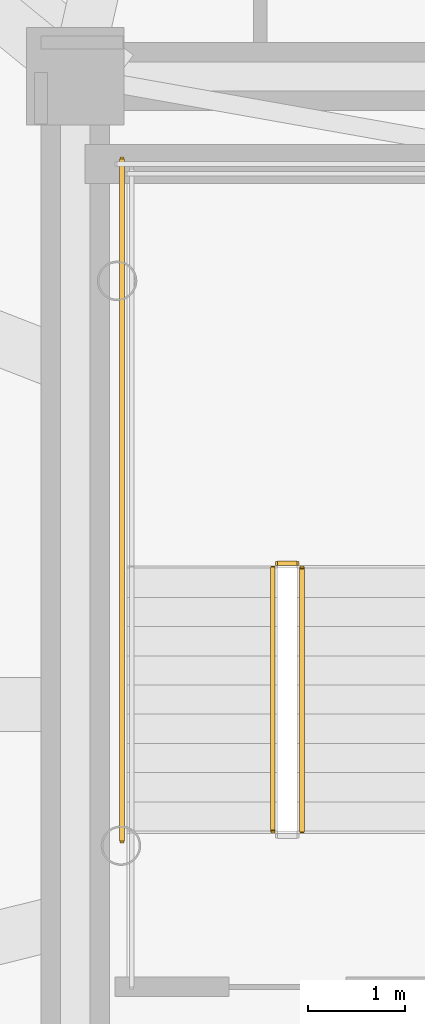
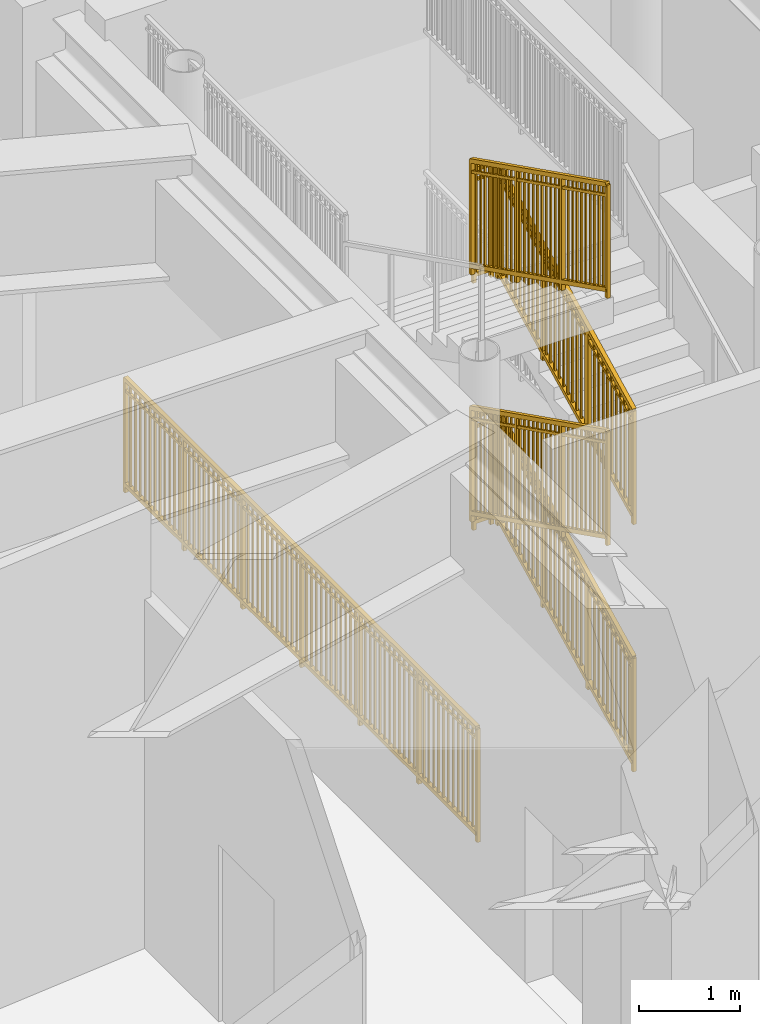
# One storey, part 13 of 17: 7 railings.
"""IFC4 building model written with IfcOpenShell, lengths in metres."""

from ifc_helpers import new_model, si_unit, direction, frame, origin, origin_2d, place, context, subcontext, project, spatial, rectangle, extrude, source, transform, mapped, material, type_object, element, save


model = new_model("IFC4")

# Units and contexts
model_context = context("Model", 3, precision=1e-05, world=origin(), true_north=direction((0.0, 1.0)))
body_context = subcontext(model_context, "Body", "Model", "MODEL_VIEW")
ifc_project = project(units=[si_unit("LENGTHUNIT", "METRE"), si_unit("AREAUNIT", "SQUARE_METRE"), si_unit("VOLUMEUNIT", "CUBIC_METRE"), si_unit("PLANEANGLEUNIT", "RADIAN"), si_unit("MASSUNIT", "GRAM", prefix="KILO")], contexts=[model_context])

# Site, building, storey
site_placement = place(None, origin())
site = spatial("IfcSite", under=ifc_project, at=site_placement, CompositionType="ELEMENT")
building_placement = place(site_placement, origin())
building = spatial("IfcBuilding", under=site, at=building_placement, Name="Linh Dai School and Residence Tower", CompositionType="ELEMENT")
storey_placement = place(building_placement, frame((0.0, 0.0, 318.0)))
storey = spatial("IfcBuildingStorey", under=building, at=storey_placement, Name="L79", CompositionType="ELEMENT", Elevation=318.0)

# Railings
ifc_material = material(Name="Structural Steel S355JR", Category="steel")
railing_type = type_object("IfcRailingType", Name="RL-ST-GUARD-1400", PredefinedType="GUARDRAIL", material=ifc_material)
shared_shape_1 = source(origin(), body_context, "Body", "SweptSolid", [
    extrude(rectangle(XDim=0.048095703125, YDim=0.048095703125, at=origin_2d()), frame((0.0, 0.0, 1.3759765625), z_axis=(-1.0, 0.0, 0.0), x_axis=(0.0, -1.0, 0.0)), (0.0, 0.0, 1.0), 0.199951171875),
    extrude(rectangle(XDim=0.048095703125, YDim=0.048095703125, at=origin_2d()), frame((0.0, 0.0, 0.10009765625), z_axis=(-1.0, 0.0, 0.0), x_axis=(0.0, -1.0, 0.0)), (0.0, 0.0, 1.0), 0.199951171875),
    extrude(rectangle(XDim=0.030029296875, YDim=0.030029296875, at=origin_2d()), frame((0.0, 0.0, 1.239990234375), z_axis=(-1.0, 0.0, 0.0), x_axis=(0.0, -1.0, 0.0)), (0.0, 0.0, 1.0), 0.199951171875),
    extrude(rectangle(XDim=0.0419921875, YDim=0.0419921875, at=origin_2d()), origin(), (0.0, 0.0, 1.0), 1.3759765625),
    extrude(rectangle(XDim=0.0419921875, YDim=0.0419921875, at=origin_2d()), frame((-0.199951171875, 0.0, 0.0)), (0.0, 0.0, 1.0), 1.3759765625),
])
for number, where, name in (
    (1, (29.429931640625, 28.449951171875, 1.5), "L79 ST1 stair guard 2"),
    (2, (29.429931640625, 28.449951171875, 4.5), "L79 ST1 stair guard 11"),
):
    element("IfcRailing", number, at=place(storey_placement, frame(where)), inside=storey, type_object=railing_type, Name=name, PredefinedType="GUARDRAIL", context=body_context, shape_type="MappedRepresentation", body=[
        mapped(shared_shape_1, transform((0.0, 0.0, 0.0), x_axis=(1.0, 0.0, 0.0), y_axis=(0.0, 1.0, 0.0), z_axis=(0.0, 0.0, 1.0), scale=1.0)),
    ])
shared_shape_2 = source(origin(), body_context, "Body", "SweptSolid", [
    extrude(rectangle(XDim=0.048095703125, YDim=0.048095703125, at=origin_2d()), frame((0.0, 0.0, 1.3759765625), z_axis=(0.0, 1.0, 0.0), x_axis=(-1.0, 0.0, 0.0)), (0.0, 0.0, 1.0), 7.0),
    extrude(rectangle(XDim=0.048095703125, YDim=0.048095703125, at=origin_2d()), frame((0.0, 0.0, 0.10009765625), z_axis=(0.0, 1.0, 0.0), x_axis=(-1.0, 0.0, 0.0)), (0.0, 0.0, 1.0), 7.0),
    extrude(rectangle(XDim=0.030029296875, YDim=0.030029296875, at=origin_2d()), frame((0.0, 0.0, 1.239990234375), z_axis=(0.0, 1.0, 0.0), x_axis=(-1.0, 0.0, 0.0)), (0.0, 0.0, 1.0), 7.0),
    extrude(rectangle(XDim=0.02001953125, YDim=0.02001953125, at=origin_2d()), frame((0.0, 0.09716796875, 0.10009765625)), (0.0, 0.0, 1.0), 1.251708984375),
    extrude(rectangle(XDim=0.02001953125, YDim=0.02001953125, at=origin_2d()), frame((0.0, 0.1943359375, 0.10009765625)), (0.0, 0.0, 1.0), 1.251708984375),
    extrude(rectangle(XDim=0.02001953125, YDim=0.02001953125, at=origin_2d()), frame((0.0, 0.291748046875, 0.10009765625)), (0.0, 0.0, 1.0), 1.251708984375),
    extrude(rectangle(XDim=0.02001953125, YDim=0.02001953125, at=origin_2d()), frame((0.0, 0.388916015625, 0.10009765625)), (0.0, 0.0, 1.0), 1.251708984375),
    extrude(rectangle(XDim=0.02001953125, YDim=0.02001953125, at=origin_2d()), frame((0.0, 0.486083984375, 0.10009765625)), (0.0, 0.0, 1.0), 1.251708984375),
    extrude(rectangle(XDim=0.02001953125, YDim=0.02001953125, at=origin_2d()), frame((0.0, 0.583251953125, 0.10009765625)), (0.0, 0.0, 1.0), 1.251708984375),
    extrude(rectangle(XDim=0.02001953125, YDim=0.02001953125, at=origin_2d()), frame((0.0, 0.6806640625, 0.10009765625)), (0.0, 0.0, 1.0), 1.251708984375),
    extrude(rectangle(XDim=0.02001953125, YDim=0.02001953125, at=origin_2d()), frame((0.0, 0.77783203125, 0.10009765625)), (0.0, 0.0, 1.0), 1.251708984375),
    extrude(rectangle(XDim=0.02001953125, YDim=0.02001953125, at=origin_2d()), frame((0.0, 0.875, 0.10009765625)), (0.0, 0.0, 1.0), 1.251708984375),
    extrude(rectangle(XDim=0.02001953125, YDim=0.02001953125, at=origin_2d()), frame((0.0, 0.97216796875, 0.10009765625)), (0.0, 0.0, 1.0), 1.251708984375),
    extrude(rectangle(XDim=0.02001953125, YDim=0.02001953125, at=origin_2d()), frame((0.0, 1.0693359375, 0.10009765625)), (0.0, 0.0, 1.0), 1.251708984375),
    extrude(rectangle(XDim=0.02001953125, YDim=0.02001953125, at=origin_2d()), frame((0.0, 1.263916015625, 0.10009765625)), (0.0, 0.0, 1.0), 1.251708984375),
    extrude(rectangle(XDim=0.02001953125, YDim=0.02001953125, at=origin_2d()), frame((0.0, 1.361083984375, 0.10009765625)), (0.0, 0.0, 1.0), 1.251708984375),
    extrude(rectangle(XDim=0.02001953125, YDim=0.02001953125, at=origin_2d()), frame((0.0, 1.458251953125, 0.10009765625)), (0.0, 0.0, 1.0), 1.251708984375),
    extrude(rectangle(XDim=0.02001953125, YDim=0.02001953125, at=origin_2d()), frame((0.0, 1.5556640625, 0.10009765625)), (0.0, 0.0, 1.0), 1.251708984375),
    extrude(rectangle(XDim=0.02001953125, YDim=0.02001953125, at=origin_2d()), frame((0.0, 1.65283203125, 0.10009765625)), (0.0, 0.0, 1.0), 1.251708984375),
    extrude(rectangle(XDim=0.02001953125, YDim=0.02001953125, at=origin_2d()), frame((0.0, 1.75, 0.10009765625)), (0.0, 0.0, 1.0), 1.251708984375),
    extrude(rectangle(XDim=0.02001953125, YDim=0.02001953125, at=origin_2d()), frame((0.0, 1.84716796875, 0.10009765625)), (0.0, 0.0, 1.0), 1.251708984375),
    extrude(rectangle(XDim=0.02001953125, YDim=0.02001953125, at=origin_2d()), frame((0.0, 1.9443359375, 0.10009765625)), (0.0, 0.0, 1.0), 1.251708984375),
    extrude(rectangle(XDim=0.02001953125, YDim=0.02001953125, at=origin_2d()), frame((0.0, 2.041748046875, 0.10009765625)), (0.0, 0.0, 1.0), 1.251708984375),
    extrude(rectangle(XDim=0.02001953125, YDim=0.02001953125, at=origin_2d()), frame((0.0, 2.138916015625, 0.10009765625)), (0.0, 0.0, 1.0), 1.251708984375),
    extrude(rectangle(XDim=0.02001953125, YDim=0.02001953125, at=origin_2d()), frame((0.0, 2.236083984375, 0.10009765625)), (0.0, 0.0, 1.0), 1.251708984375),
    extrude(rectangle(XDim=0.02001953125, YDim=0.02001953125, at=origin_2d()), frame((0.0, 2.4306640625, 0.10009765625)), (0.0, 0.0, 1.0), 1.251708984375),
    extrude(rectangle(XDim=0.02001953125, YDim=0.02001953125, at=origin_2d()), frame((0.0, 2.52783203125, 0.10009765625)), (0.0, 0.0, 1.0), 1.251708984375),
    extrude(rectangle(XDim=0.02001953125, YDim=0.02001953125, at=origin_2d()), frame((0.0, 2.625, 0.10009765625)), (0.0, 0.0, 1.0), 1.251708984375),
    extrude(rectangle(XDim=0.02001953125, YDim=0.02001953125, at=origin_2d()), frame((0.0, 2.72216796875, 0.10009765625)), (0.0, 0.0, 1.0), 1.251708984375),
    extrude(rectangle(XDim=0.02001953125, YDim=0.02001953125, at=origin_2d()), frame((0.0, 2.8193359375, 0.10009765625)), (0.0, 0.0, 1.0), 1.251708984375),
    extrude(rectangle(XDim=0.02001953125, YDim=0.02001953125, at=origin_2d()), frame((0.0, 2.916748046875, 0.10009765625)), (0.0, 0.0, 1.0), 1.251708984375),
    extrude(rectangle(XDim=0.02001953125, YDim=0.02001953125, at=origin_2d()), frame((0.0, 3.013916015625, 0.10009765625)), (0.0, 0.0, 1.0), 1.251708984375),
    extrude(rectangle(XDim=0.02001953125, YDim=0.02001953125, at=origin_2d()), frame((0.0, 3.111083984375, 0.10009765625)), (0.0, 0.0, 1.0), 1.251708984375),
    extrude(rectangle(XDim=0.02001953125, YDim=0.02001953125, at=origin_2d()), frame((0.0, 3.208251953125, 0.10009765625)), (0.0, 0.0, 1.0), 1.251708984375),
    extrude(rectangle(XDim=0.02001953125, YDim=0.02001953125, at=origin_2d()), frame((0.0, 3.3056640625, 0.10009765625)), (0.0, 0.0, 1.0), 1.251708984375),
    extrude(rectangle(XDim=0.02001953125, YDim=0.02001953125, at=origin_2d()), frame((0.0, 3.40283203125, 0.10009765625)), (0.0, 0.0, 1.0), 1.251708984375),
    extrude(rectangle(XDim=0.02001953125, YDim=0.02001953125, at=origin_2d()), frame((0.0, 3.59716796875, 0.10009765625)), (0.0, 0.0, 1.0), 1.251708984375),
    extrude(rectangle(XDim=0.02001953125, YDim=0.02001953125, at=origin_2d()), frame((0.0, 3.6943359375, 0.10009765625)), (0.0, 0.0, 1.0), 1.251708984375),
    extrude(rectangle(XDim=0.02001953125, YDim=0.02001953125, at=origin_2d()), frame((0.0, 3.791748046875, 0.10009765625)), (0.0, 0.0, 1.0), 1.251708984375),
    extrude(rectangle(XDim=0.02001953125, YDim=0.02001953125, at=origin_2d()), frame((0.0, 3.888916015625, 0.10009765625)), (0.0, 0.0, 1.0), 1.251708984375),
    extrude(rectangle(XDim=0.02001953125, YDim=0.02001953125, at=origin_2d()), frame((0.0, 3.986083984375, 0.10009765625)), (0.0, 0.0, 1.0), 1.251708984375),
    extrude(rectangle(XDim=0.02001953125, YDim=0.02001953125, at=origin_2d()), frame((0.0, 4.083251953125, 0.10009765625)), (0.0, 0.0, 1.0), 1.251708984375),
    extrude(rectangle(XDim=0.02001953125, YDim=0.02001953125, at=origin_2d()), frame((0.0, 4.1806640625, 0.10009765625)), (0.0, 0.0, 1.0), 1.251708984375),
    extrude(rectangle(XDim=0.02001953125, YDim=0.02001953125, at=origin_2d()), frame((0.0, 4.27783203125, 0.10009765625)), (0.0, 0.0, 1.0), 1.251708984375),
    extrude(rectangle(XDim=0.02001953125, YDim=0.02001953125, at=origin_2d()), frame((0.0, 4.375, 0.10009765625)), (0.0, 0.0, 1.0), 1.251708984375),
    extrude(rectangle(XDim=0.02001953125, YDim=0.02001953125, at=origin_2d()), frame((0.0, 4.47216796875, 0.10009765625)), (0.0, 0.0, 1.0), 1.251708984375),
    extrude(rectangle(XDim=0.02001953125, YDim=0.02001953125, at=origin_2d()), frame((0.0, 4.5693359375, 0.10009765625)), (0.0, 0.0, 1.0), 1.251708984375),
    extrude(rectangle(XDim=0.02001953125, YDim=0.02001953125, at=origin_2d()), frame((0.0, 4.763916015625, 0.10009765625)), (0.0, 0.0, 1.0), 1.251708984375),
    extrude(rectangle(XDim=0.02001953125, YDim=0.02001953125, at=origin_2d()), frame((0.0, 4.861083984375, 0.10009765625)), (0.0, 0.0, 1.0), 1.251708984375),
    extrude(rectangle(XDim=0.02001953125, YDim=0.02001953125, at=origin_2d()), frame((0.0, 4.958251953125, 0.10009765625)), (0.0, 0.0, 1.0), 1.251708984375),
    extrude(rectangle(XDim=0.02001953125, YDim=0.02001953125, at=origin_2d()), frame((0.0, 5.0556640625, 0.10009765625)), (0.0, 0.0, 1.0), 1.251708984375),
    extrude(rectangle(XDim=0.02001953125, YDim=0.02001953125, at=origin_2d()), frame((0.0, 5.15283203125, 0.10009765625)), (0.0, 0.0, 1.0), 1.251708984375),
    extrude(rectangle(XDim=0.02001953125, YDim=0.02001953125, at=origin_2d()), frame((0.0, 5.25, 0.10009765625)), (0.0, 0.0, 1.0), 1.251708984375),
    extrude(rectangle(XDim=0.02001953125, YDim=0.02001953125, at=origin_2d()), frame((0.0, 5.34716796875, 0.10009765625)), (0.0, 0.0, 1.0), 1.251708984375),
    extrude(rectangle(XDim=0.02001953125, YDim=0.02001953125, at=origin_2d()), frame((0.0, 5.4443359375, 0.10009765625)), (0.0, 0.0, 1.0), 1.251708984375),
    extrude(rectangle(XDim=0.02001953125, YDim=0.02001953125, at=origin_2d()), frame((0.0, 5.541748046875, 0.10009765625)), (0.0, 0.0, 1.0), 1.251708984375),
    extrude(rectangle(XDim=0.02001953125, YDim=0.02001953125, at=origin_2d()), frame((0.0, 5.638916015625, 0.10009765625)), (0.0, 0.0, 1.0), 1.251708984375),
    extrude(rectangle(XDim=0.02001953125, YDim=0.02001953125, at=origin_2d()), frame((0.0, 5.736083984375, 0.10009765625)), (0.0, 0.0, 1.0), 1.251708984375),
    extrude(rectangle(XDim=0.02001953125, YDim=0.02001953125, at=origin_2d()), frame((0.0, 5.9306640625, 0.10009765625)), (0.0, 0.0, 1.0), 1.251708984375),
    extrude(rectangle(XDim=0.02001953125, YDim=0.02001953125, at=origin_2d()), frame((0.0, 6.02783203125, 0.10009765625)), (0.0, 0.0, 1.0), 1.251708984375),
    extrude(rectangle(XDim=0.02001953125, YDim=0.02001953125, at=origin_2d()), frame((0.0, 6.125, 0.10009765625)), (0.0, 0.0, 1.0), 1.251708984375),
    extrude(rectangle(XDim=0.02001953125, YDim=0.02001953125, at=origin_2d()), frame((0.0, 6.22216796875, 0.10009765625)), (0.0, 0.0, 1.0), 1.251708984375),
    extrude(rectangle(XDim=0.02001953125, YDim=0.02001953125, at=origin_2d()), frame((0.0, 6.3193359375, 0.10009765625)), (0.0, 0.0, 1.0), 1.251708984375),
    extrude(rectangle(XDim=0.02001953125, YDim=0.02001953125, at=origin_2d()), frame((0.0, 6.416748046875, 0.10009765625)), (0.0, 0.0, 1.0), 1.251708984375),
    extrude(rectangle(XDim=0.02001953125, YDim=0.02001953125, at=origin_2d()), frame((0.0, 6.513916015625, 0.10009765625)), (0.0, 0.0, 1.0), 1.251708984375),
    extrude(rectangle(XDim=0.02001953125, YDim=0.02001953125, at=origin_2d()), frame((0.0, 6.611083984375, 0.10009765625)), (0.0, 0.0, 1.0), 1.251708984375),
    extrude(rectangle(XDim=0.02001953125, YDim=0.02001953125, at=origin_2d()), frame((0.0, 6.708251953125, 0.10009765625)), (0.0, 0.0, 1.0), 1.251708984375),
    extrude(rectangle(XDim=0.02001953125, YDim=0.02001953125, at=origin_2d()), frame((0.0, 6.8056640625, 0.10009765625)), (0.0, 0.0, 1.0), 1.251708984375),
    extrude(rectangle(XDim=0.02001953125, YDim=0.02001953125, at=origin_2d()), frame((0.0, 6.90283203125, 0.10009765625)), (0.0, 0.0, 1.0), 1.251708984375),
    extrude(rectangle(XDim=0.0419921875, YDim=0.0419921875, at=origin_2d()), origin(), (0.0, 0.0, 1.0), 1.3759765625),
    extrude(rectangle(XDim=0.0419921875, YDim=0.0419921875, at=origin_2d()), frame((0.0, 1.166748046875, 0.0)), (0.0, 0.0, 1.0), 1.3759765625),
    extrude(rectangle(XDim=0.0419921875, YDim=0.0419921875, at=origin_2d()), frame((0.0, 2.333251953125, 0.0)), (0.0, 0.0, 1.0), 1.3759765625),
    extrude(rectangle(XDim=0.0419921875, YDim=0.0419921875, at=origin_2d()), frame((0.0, 3.5, 0.0)), (0.0, 0.0, 1.0), 1.3759765625),
    extrude(rectangle(XDim=0.0419921875, YDim=0.0419921875, at=origin_2d()), frame((0.0, 4.666748046875, 0.0)), (0.0, 0.0, 1.0), 1.3759765625),
    extrude(rectangle(XDim=0.0419921875, YDim=0.0419921875, at=origin_2d()), frame((0.0, 5.833251953125, 0.0)), (0.0, 0.0, 1.0), 1.3759765625),
    extrude(rectangle(XDim=0.0419921875, YDim=0.0419921875, at=origin_2d()), frame((0.0, 7.0, 0.0)), (0.0, 0.0, 1.0), 1.3759765625),
])
railing_placement = place(storey_placement, frame((27.6298828125, 25.60009765625, 0.0)))
element("IfcRailing", 3, at=railing_placement, inside=storey, type_object=railing_type, Name="L79 ST1 stair guard 20", PredefinedType="GUARDRAIL", context=body_context, shape_type="MappedRepresentation", body=[
    mapped(shared_shape_2, transform((0.0, 0.0, 0.0), x_axis=(1.0, 0.0, 0.0), y_axis=(0.0, 1.0, 0.0), z_axis=(0.0, 0.0, 1.0), scale=1.0)),
])
shared_shape_3 = source(origin(), body_context, "Body", "SweptSolid", [
    extrude(rectangle(XDim=0.048095703125, YDim=0.048095703125, at=origin_2d()), frame((0.0, 0.0, 1.3759765625), z_axis=(0.0, 0.894411015155, 0.447245945728), x_axis=(-1.0, 0.0, 0.0)), (0.0, 0.0, 1.0), 3.018798828125),
    extrude(rectangle(XDim=0.048095703125, YDim=0.048095703125, at=origin_2d()), frame((0.0, 0.0, 0.10009765625), z_axis=(0.0, 0.894411015155, 0.447245945728), x_axis=(-1.0, 0.0, 0.0)), (0.0, 0.0, 1.0), 3.018798828125),
    extrude(rectangle(XDim=0.030029296875, YDim=0.030029296875, at=origin_2d()), frame((0.0, 0.0, 1.239990234375), z_axis=(0.0, 0.894411015155, 0.447245945728), x_axis=(-1.0, 0.0, 0.0)), (0.0, 0.0, 1.0), 3.018798828125),
    extrude(rectangle(XDim=0.02001953125, YDim=0.02001953125, at=origin_2d()), frame((0.0, 0.087158203125, 0.1435546875)), (0.0, 0.0, 1.0), 1.251708984375),
    extrude(rectangle(XDim=0.02001953125, YDim=0.02001953125, at=origin_2d()), frame((0.0, 0.174072265625, 0.187255859375)), (0.0, 0.0, 1.0), 1.251708984375),
    extrude(rectangle(XDim=0.02001953125, YDim=0.02001953125, at=origin_2d()), frame((0.0, 0.26123046875, 0.230712890625)), (0.0, 0.0, 1.0), 1.251708984375),
    extrude(rectangle(XDim=0.02001953125, YDim=0.02001953125, at=origin_2d()), frame((0.0, 0.348388671875, 0.2744140625)), (0.0, 0.0, 1.0), 1.251708984375),
    extrude(rectangle(XDim=0.02001953125, YDim=0.02001953125, at=origin_2d()), frame((0.0, 0.435546875, 0.31787109375)), (0.0, 0.0, 1.0), 1.251708984375),
    extrude(rectangle(XDim=0.02001953125, YDim=0.02001953125, at=origin_2d()), frame((0.0, 0.5224609375, 0.361328125)), (0.0, 0.0, 1.0), 1.251708984375),
    extrude(rectangle(XDim=0.02001953125, YDim=0.02001953125, at=origin_2d()), frame((0.0, 0.609619140625, 0.405029296875)), (0.0, 0.0, 1.0), 1.251708984375),
    extrude(rectangle(XDim=0.02001953125, YDim=0.02001953125, at=origin_2d()), frame((0.0, 0.69677734375, 0.448486328125)), (0.0, 0.0, 1.0), 1.251708984375),
    extrude(rectangle(XDim=0.02001953125, YDim=0.02001953125, at=origin_2d()), frame((0.0, 0.783935546875, 0.491943359375)), (0.0, 0.0, 1.0), 1.251708984375),
    extrude(rectangle(XDim=0.02001953125, YDim=0.02001953125, at=origin_2d()), frame((0.0, 0.9580078125, 0.5791015625)), (0.0, 0.0, 1.0), 1.251708984375),
    extrude(rectangle(XDim=0.02001953125, YDim=0.02001953125, at=origin_2d()), frame((0.0, 1.045166015625, 0.622802734375)), (0.0, 0.0, 1.0), 1.251708984375),
    extrude(rectangle(XDim=0.02001953125, YDim=0.02001953125, at=origin_2d()), frame((0.0, 1.13232421875, 0.666259765625)), (0.0, 0.0, 1.0), 1.251708984375),
    extrude(rectangle(XDim=0.02001953125, YDim=0.02001953125, at=origin_2d()), frame((0.0, 1.21923828125, 0.709716796875)), (0.0, 0.0, 1.0), 1.251708984375),
    extrude(rectangle(XDim=0.02001953125, YDim=0.02001953125, at=origin_2d()), frame((0.0, 1.306396484375, 0.75341796875)), (0.0, 0.0, 1.0), 1.251708984375),
    extrude(rectangle(XDim=0.02001953125, YDim=0.02001953125, at=origin_2d()), frame((0.0, 1.3935546875, 0.796875)), (0.0, 0.0, 1.0), 1.251708984375),
    extrude(rectangle(XDim=0.02001953125, YDim=0.02001953125, at=origin_2d()), frame((0.0, 1.480712890625, 0.840576171875)), (0.0, 0.0, 1.0), 1.251708984375),
    extrude(rectangle(XDim=0.02001953125, YDim=0.02001953125, at=origin_2d()), frame((0.0, 1.567626953125, 0.884033203125)), (0.0, 0.0, 1.0), 1.251708984375),
    extrude(rectangle(XDim=0.02001953125, YDim=0.02001953125, at=origin_2d()), frame((0.0, 1.65478515625, 0.927490234375)), (0.0, 0.0, 1.0), 1.251708984375),
    extrude(rectangle(XDim=0.02001953125, YDim=0.02001953125, at=origin_2d()), frame((0.0, 1.741943359375, 0.97119140625)), (0.0, 0.0, 1.0), 1.251708984375),
    extrude(rectangle(XDim=0.02001953125, YDim=0.02001953125, at=origin_2d()), frame((0.0, 1.916015625, 1.058349609375)), (0.0, 0.0, 1.0), 1.251708984375),
    extrude(rectangle(XDim=0.02001953125, YDim=0.02001953125, at=origin_2d()), frame((0.0, 2.003173828125, 1.101806640625)), (0.0, 0.0, 1.0), 1.251708984375),
    extrude(rectangle(XDim=0.02001953125, YDim=0.02001953125, at=origin_2d()), frame((0.0, 2.09033203125, 1.145263671875)), (0.0, 0.0, 1.0), 1.251708984375),
    extrude(rectangle(XDim=0.02001953125, YDim=0.02001953125, at=origin_2d()), frame((0.0, 2.177490234375, 1.18896484375)), (0.0, 0.0, 1.0), 1.251708984375),
    extrude(rectangle(XDim=0.02001953125, YDim=0.02001953125, at=origin_2d()), frame((0.0, 2.264404296875, 1.232421875)), (0.0, 0.0, 1.0), 1.251708984375),
    extrude(rectangle(XDim=0.02001953125, YDim=0.02001953125, at=origin_2d()), frame((0.0, 2.3515625, 1.27587890625)), (0.0, 0.0, 1.0), 1.251708984375),
    extrude(rectangle(XDim=0.02001953125, YDim=0.02001953125, at=origin_2d()), frame((0.0, 2.438720703125, 1.319580078125)), (0.0, 0.0, 1.0), 1.251708984375),
    extrude(rectangle(XDim=0.02001953125, YDim=0.02001953125, at=origin_2d()), frame((0.0, 2.52587890625, 1.363037109375)), (0.0, 0.0, 1.0), 1.251708984375),
    extrude(rectangle(XDim=0.02001953125, YDim=0.02001953125, at=origin_2d()), frame((0.0, 2.61279296875, 1.40673828125)), (0.0, 0.0, 1.0), 1.251708984375),
    extrude(rectangle(XDim=0.0419921875, YDim=0.0419921875, at=origin_2d()), origin(), (0.0, 0.0, 1.0), 1.3759765625),
    extrude(rectangle(XDim=0.0419921875, YDim=0.0419921875, at=origin_2d()), frame((0.0, 0.89990234375, 0.449951171875)), (0.0, 0.0, 1.0), 1.3759765625),
    extrude(rectangle(XDim=0.0419921875, YDim=0.0419921875, at=origin_2d()), frame((0.0, 1.800048828125, 0.900146484375)), (0.0, 0.0, 1.0), 1.3759765625),
    extrude(rectangle(XDim=0.0419921875, YDim=0.0419921875, at=origin_2d()), frame((0.0, 2.699951171875, 1.35009765625)), (0.0, 0.0, 1.0), 1.3759765625),
])
for number, where, name in (
    (4, (29.47998046875, 25.699951171875, 0.14990234375), "L79 ST1 stair guard 1"),
    (5, (29.47998046875, 25.699951171875, 3.14990234375), "L79 ST1 stair guard 10"),
):
    element("IfcRailing", number, at=place(storey_placement, frame(where)), inside=storey, type_object=railing_type, Name=name, PredefinedType="GUARDRAIL", context=body_context, shape_type="MappedRepresentation", body=[
        mapped(shared_shape_3, transform((0.0, 0.0, 0.0), x_axis=(1.0, 0.0, 0.0), y_axis=(0.0, 1.0, 0.0), z_axis=(0.0, 0.0, 1.0), scale=1.0)),
    ])
shared_shape_4 = source(origin(), body_context, "Body", "SweptSolid", [
    extrude(rectangle(XDim=0.048095703125, YDim=0.048095703125, at=origin_2d()), frame((0.0, 0.0, 1.3759765625), z_axis=(0.0, -0.894411015155, 0.447245945728), x_axis=(1.0, 0.0, 0.0)), (0.0, 0.0, 1.0), 3.018798828125),
    extrude(rectangle(XDim=0.048095703125, YDim=0.048095703125, at=origin_2d()), frame((0.0, 0.0, 0.10009765625), z_axis=(0.0, -0.894411015155, 0.447245945728), x_axis=(1.0, 0.0, 0.0)), (0.0, 0.0, 1.0), 3.018798828125),
    extrude(rectangle(XDim=0.030029296875, YDim=0.030029296875, at=origin_2d()), frame((0.0, 0.0, 1.239990234375), z_axis=(0.0, -0.894411015155, 0.447245945728), x_axis=(1.0, 0.0, 0.0)), (0.0, 0.0, 1.0), 3.018798828125),
    extrude(rectangle(XDim=0.02001953125, YDim=0.02001953125, at=origin_2d()), frame((0.0, -0.087158203125, 0.1435546875)), (0.0, 0.0, 1.0), 1.251708984375),
    extrude(rectangle(XDim=0.02001953125, YDim=0.02001953125, at=origin_2d()), frame((0.0, -0.174072265625, 0.187255859375)), (0.0, 0.0, 1.0), 1.251708984375),
    extrude(rectangle(XDim=0.02001953125, YDim=0.02001953125, at=origin_2d()), frame((0.0, -0.26123046875, 0.230712890625)), (0.0, 0.0, 1.0), 1.251708984375),
    extrude(rectangle(XDim=0.02001953125, YDim=0.02001953125, at=origin_2d()), frame((0.0, -0.348388671875, 0.2744140625)), (0.0, 0.0, 1.0), 1.251708984375),
    extrude(rectangle(XDim=0.02001953125, YDim=0.02001953125, at=origin_2d()), frame((0.0, -0.435546875, 0.31787109375)), (0.0, 0.0, 1.0), 1.251708984375),
    extrude(rectangle(XDim=0.02001953125, YDim=0.02001953125, at=origin_2d()), frame((0.0, -0.5224609375, 0.361328125)), (0.0, 0.0, 1.0), 1.251708984375),
    extrude(rectangle(XDim=0.02001953125, YDim=0.02001953125, at=origin_2d()), frame((0.0, -0.609619140625, 0.405029296875)), (0.0, 0.0, 1.0), 1.251708984375),
    extrude(rectangle(XDim=0.02001953125, YDim=0.02001953125, at=origin_2d()), frame((0.0, -0.69677734375, 0.448486328125)), (0.0, 0.0, 1.0), 1.251708984375),
    extrude(rectangle(XDim=0.02001953125, YDim=0.02001953125, at=origin_2d()), frame((0.0, -0.783935546875, 0.491943359375)), (0.0, 0.0, 1.0), 1.251708984375),
    extrude(rectangle(XDim=0.02001953125, YDim=0.02001953125, at=origin_2d()), frame((0.0, -0.9580078125, 0.5791015625)), (0.0, 0.0, 1.0), 1.251708984375),
    extrude(rectangle(XDim=0.02001953125, YDim=0.02001953125, at=origin_2d()), frame((0.0, -1.045166015625, 0.622802734375)), (0.0, 0.0, 1.0), 1.251708984375),
    extrude(rectangle(XDim=0.02001953125, YDim=0.02001953125, at=origin_2d()), frame((0.0, -1.13232421875, 0.666259765625)), (0.0, 0.0, 1.0), 1.251708984375),
    extrude(rectangle(XDim=0.02001953125, YDim=0.02001953125, at=origin_2d()), frame((0.0, -1.21923828125, 0.709716796875)), (0.0, 0.0, 1.0), 1.251708984375),
    extrude(rectangle(XDim=0.02001953125, YDim=0.02001953125, at=origin_2d()), frame((0.0, -1.306396484375, 0.75341796875)), (0.0, 0.0, 1.0), 1.251708984375),
    extrude(rectangle(XDim=0.02001953125, YDim=0.02001953125, at=origin_2d()), frame((0.0, -1.3935546875, 0.796875)), (0.0, 0.0, 1.0), 1.251708984375),
    extrude(rectangle(XDim=0.02001953125, YDim=0.02001953125, at=origin_2d()), frame((0.0, -1.480712890625, 0.840576171875)), (0.0, 0.0, 1.0), 1.251708984375),
    extrude(rectangle(XDim=0.02001953125, YDim=0.02001953125, at=origin_2d()), frame((0.0, -1.567626953125, 0.884033203125)), (0.0, 0.0, 1.0), 1.251708984375),
    extrude(rectangle(XDim=0.02001953125, YDim=0.02001953125, at=origin_2d()), frame((0.0, -1.65478515625, 0.927490234375)), (0.0, 0.0, 1.0), 1.251708984375),
    extrude(rectangle(XDim=0.02001953125, YDim=0.02001953125, at=origin_2d()), frame((0.0, -1.741943359375, 0.97119140625)), (0.0, 0.0, 1.0), 1.251708984375),
    extrude(rectangle(XDim=0.02001953125, YDim=0.02001953125, at=origin_2d()), frame((0.0, -1.916015625, 1.058349609375)), (0.0, 0.0, 1.0), 1.251708984375),
    extrude(rectangle(XDim=0.02001953125, YDim=0.02001953125, at=origin_2d()), frame((0.0, -2.003173828125, 1.101806640625)), (0.0, 0.0, 1.0), 1.251708984375),
    extrude(rectangle(XDim=0.02001953125, YDim=0.02001953125, at=origin_2d()), frame((0.0, -2.09033203125, 1.145263671875)), (0.0, 0.0, 1.0), 1.251708984375),
    extrude(rectangle(XDim=0.02001953125, YDim=0.02001953125, at=origin_2d()), frame((0.0, -2.177490234375, 1.18896484375)), (0.0, 0.0, 1.0), 1.251708984375),
    extrude(rectangle(XDim=0.02001953125, YDim=0.02001953125, at=origin_2d()), frame((0.0, -2.264404296875, 1.232421875)), (0.0, 0.0, 1.0), 1.251708984375),
    extrude(rectangle(XDim=0.02001953125, YDim=0.02001953125, at=origin_2d()), frame((0.0, -2.3515625, 1.27587890625)), (0.0, 0.0, 1.0), 1.251708984375),
    extrude(rectangle(XDim=0.02001953125, YDim=0.02001953125, at=origin_2d()), frame((0.0, -2.438720703125, 1.319580078125)), (0.0, 0.0, 1.0), 1.251708984375),
    extrude(rectangle(XDim=0.02001953125, YDim=0.02001953125, at=origin_2d()), frame((0.0, -2.52587890625, 1.363037109375)), (0.0, 0.0, 1.0), 1.251708984375),
    extrude(rectangle(XDim=0.02001953125, YDim=0.02001953125, at=origin_2d()), frame((0.0, -2.61279296875, 1.40673828125)), (0.0, 0.0, 1.0), 1.251708984375),
    extrude(rectangle(XDim=0.0419921875, YDim=0.0419921875, at=origin_2d()), origin(), (0.0, 0.0, 1.0), 1.3759765625),
    extrude(rectangle(XDim=0.0419921875, YDim=0.0419921875, at=origin_2d()), frame((0.0, -0.89990234375, 0.449951171875)), (0.0, 0.0, 1.0), 1.3759765625),
    extrude(rectangle(XDim=0.0419921875, YDim=0.0419921875, at=origin_2d()), frame((0.0, -1.800048828125, 0.900146484375)), (0.0, 0.0, 1.0), 1.3759765625),
    extrude(rectangle(XDim=0.0419921875, YDim=0.0419921875, at=origin_2d()), frame((0.0, -2.699951171875, 1.35009765625)), (0.0, 0.0, 1.0), 1.3759765625),
])
for number, where, name in (
    (6, (29.179931640625, 28.39990234375, 1.64990234375), "L79 ST1 stair guard 6"),
    (7, (29.179931640625, 28.39990234375, 4.64990234375), "L79 ST1 stair guard 15"),
):
    element("IfcRailing", number, at=place(storey_placement, frame(where)), inside=storey, type_object=railing_type, Name=name, PredefinedType="GUARDRAIL", context=body_context, shape_type="MappedRepresentation", body=[
        mapped(shared_shape_4, transform((0.0, 0.0, 0.0), x_axis=(1.0, 0.0, 0.0), y_axis=(0.0, 1.0, 0.0), z_axis=(0.0, 0.0, 1.0), scale=1.0)),
    ])

save(model, "model.ifc")
